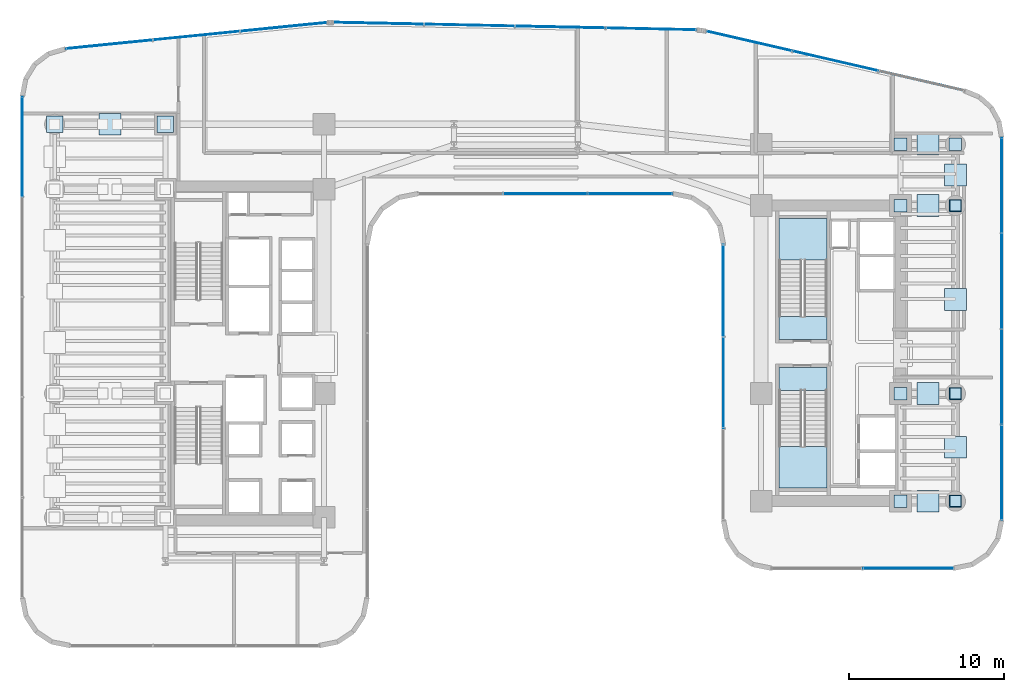
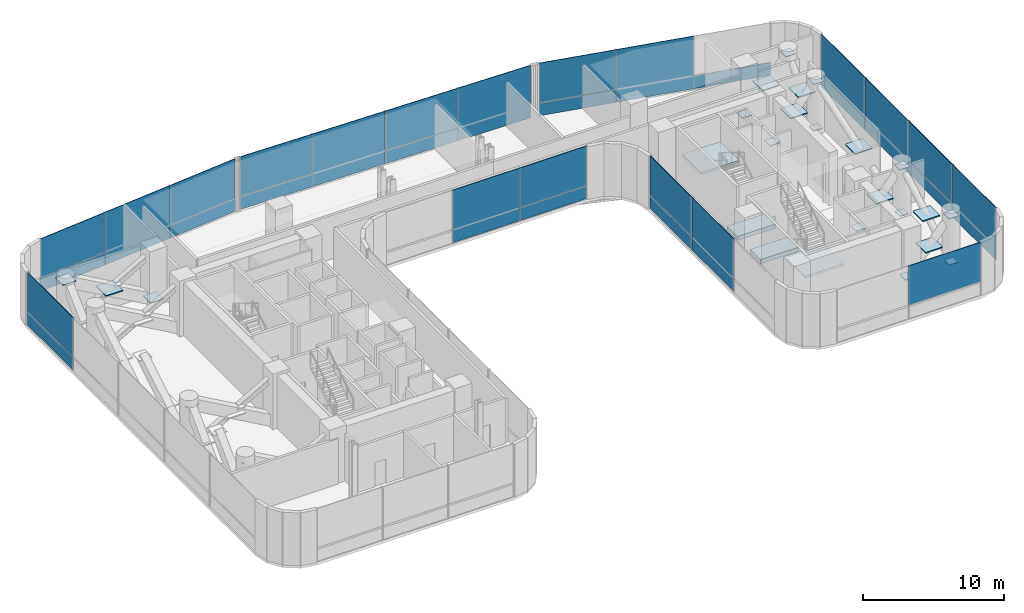
# One storey, part 31 of 39: 51 plates, 4 slabs, 10 elements without a shape of their own.
"""IFC4 building model written with IfcOpenShell, lengths in metres."""

import ifcopenshell
import ifcopenshell.guid

model = None  # the IFC model being written
_history = None  # IfcOwnerHistory: only IFC2X3 demands one
_inside = {}  # id of a spatial element -> (the spatial element, [elements in it])
_under = {}  # id of a project, library or spatial element -> (it, [spatial elements below it])
_declared = {}  # id of a project -> (the project, [libraries it declares])
_typed = {}  # id of a type object -> (the type object, [elements of that type])
_made_of = {}  # id of a material, layer set ... -> (it, [elements and type objects made of it])


def new_model(schema):
    """Start an empty IFC model of exactly this schema.

    Asked for "IFC4X3", IfcOpenShell would pick the latest addendum, in which some entities
    have other attributes; the version numbers below select the first issue.
    IFC2X3 requires an IfcOwnerHistory on every rooted entity: one is made here for all.
    """
    global model, _history
    if schema == "IFC4X3":
        model = ifcopenshell.file(schema_version=(4, 3, 0, 0))
    else:
        model = ifcopenshell.file(schema=schema)
    _inside.clear()
    _under.clear()
    _declared.clear()
    _typed.clear()
    _made_of.clear()
    _history = None
    if model.schema == "IFC2X3":
        org = make("IfcOrganization", Name="unknown")
        user = make(
            "IfcPersonAndOrganization",
            ThePerson=make("IfcPerson", FamilyName="unknown"),
            TheOrganization=org,
        )
        app = make(
            "IfcApplication",
            ApplicationDeveloper=org,
            Version="unknown",
            ApplicationFullName="unknown",
            ApplicationIdentifier="unknown",
        )
        _history = make(
            "IfcOwnerHistory",
            OwningUser=user,
            OwningApplication=app,
            ChangeAction="ADDED",
            CreationDate=0,
        )
    return model


def make(cls, **values):
    """One entity of the class cls with the attributes given. An attribute that is None is left unset."""
    return model.create_entity(
        cls, **{name: value for name, value in values.items() if value is not None}
    )


def rooted(cls, **values):
    """An entity with a GlobalId (a new one), such as an element, a storey or a relation."""
    return make(cls, GlobalId=ifcopenshell.guid.new(), OwnerHistory=_history, **values)


def si_unit(unit_type, name, prefix=None):
    """IfcSIUnit, for example si_unit("LENGTHUNIT", "METRE", prefix="MILLI")."""
    return make("IfcSIUnit", UnitType=unit_type, Prefix=prefix, Name=name)


def assignment(units):
    """IfcUnitAssignment: the units of a project."""
    return None if units is None else make("IfcUnitAssignment", Units=units)


def point(xyz):
    """IfcCartesianPoint."""
    return None if xyz is None else make("IfcCartesianPoint", Coordinates=xyz)


def direction(xyz):
    """IfcDirection."""
    return None if xyz is None else make("IfcDirection", DirectionRatios=xyz)


def frame(location, z_axis=None, x_axis=None):
    """IfcAxis2Placement3D, a coordinate frame: its origin and axes. An axis left out is left unset."""
    return make(
        "IfcAxis2Placement3D",
        Location=point(location),
        Axis=direction(z_axis),
        RefDirection=direction(x_axis),
    )


def frame_2d(location, x_axis=None):
    """IfcAxis2Placement2D, a coordinate frame in the plane: its origin and x axis."""
    return make(
        "IfcAxis2Placement2D", Location=point(location), RefDirection=direction(x_axis)
    )


def origin():
    """The frame at (0, 0, 0) with its axes left unset."""
    return frame((0.0, 0.0, 0.0))


def origin_2d():
    """The frame at (0, 0) in the plane with its x axis left unset."""
    return frame_2d((0.0, 0.0))


def place(relative_to, where):
    """IfcLocalPlacement: puts the frame where relative to a parent placement (None: the world)."""
    return make(
        "IfcLocalPlacement", PlacementRelTo=relative_to, RelativePlacement=where
    )


def context(
    kind, dimensions, precision=None, world=None, true_north=None, identifier=None
):
    """IfcGeometricRepresentationContext, for example the 3D "Model" context."""
    return make(
        "IfcGeometricRepresentationContext",
        ContextIdentifier=identifier,
        ContextType=kind,
        CoordinateSpaceDimension=dimensions,
        Precision=precision,
        WorldCoordinateSystem=world,
        TrueNorth=true_north,
    )


def subcontext(parent, identifier, kind, view, scale=None):
    """IfcGeometricRepresentationSubContext, for example "Body" below "Model"."""
    return make(
        "IfcGeometricRepresentationSubContext",
        ContextIdentifier=identifier,
        ContextType=kind,
        ParentContext=parent,
        TargetScale=scale,
        TargetView=view,
    )


def project(units=None, contexts=None):
    """IfcProject with its units and contexts."""
    return rooted(
        "IfcProject",
        Name="project",
        RepresentationContexts=contexts,
        UnitsInContext=assignment(units),
    )


def spatial(cls, under=None, at=None, **own):
    """A site, building, storey or space (cls), placed at a placement, below another one or the project."""
    s = rooted(cls, ObjectPlacement=at, **own)
    if under is not None:
        _under.setdefault(under.id(), (under, []))[1].append(s)
    return s


def polyline(points):
    """IfcPolyline through the points."""
    return make("IfcPolyline", Points=[point(p) for p in points])


def profile(cls, at=None, kind="AREA", **sizes):
    """A parametric profile (cls). Its sizes go by their IFC names, for example OverallWidth=200.0."""
    return make(cls, ProfileType=kind, Position=at, **sizes)


def rectangle(**sizes):
    """IfcRectangleProfileDef."""
    return profile("IfcRectangleProfileDef", **sizes)


def outline(outer, holes=None, kind="AREA"):
    """IfcArbitraryClosedProfileDef: a profile drawn as a closed curve; with holes, ...WithVoids."""
    if holes is None:
        return make("IfcArbitraryClosedProfileDef", ProfileType=kind, OuterCurve=outer)
    return make(
        "IfcArbitraryProfileDefWithVoids",
        ProfileType=kind,
        OuterCurve=outer,
        InnerCurves=holes,
    )


def extrude(swept, where, along, depth):
    """IfcExtrudedAreaSolid: the profile swept, set in the frame where, extruded along a direction by depth."""
    return make(
        "IfcExtrudedAreaSolid",
        SweptArea=swept,
        Position=where,
        ExtrudedDirection=direction(along),
        Depth=depth,
    )


def shape(context_of_items, identifier, shape_type, items):
    """IfcShapeRepresentation: the items that make up one representation, for example the "Body"."""
    return make(
        "IfcShapeRepresentation",
        ContextOfItems=context_of_items,
        RepresentationIdentifier=identifier,
        RepresentationType=shape_type,
        Items=items,
    )


def source(mapping_origin, context_of_items, identifier, shape_type, items):
    """IfcRepresentationMap: a shape defined once, which mapped items show again and again."""
    return make(
        "IfcRepresentationMap",
        MappingOrigin=mapping_origin,
        MappedRepresentation=shape(context_of_items, identifier, shape_type, items),
    )


def transform(
    local_origin,
    x_axis=None,
    y_axis=None,
    z_axis=None,
    scale=None,
    scale2=None,
    scale3=None,
    uniform=True,
):
    """IfcCartesianTransformationOperator3D, or its non-uniform kind. x_axis, y_axis, z_axis: its Axis1, 2, 3."""
    if uniform:
        return make(
            "IfcCartesianTransformationOperator3D",
            Axis1=direction(x_axis),
            Axis2=direction(y_axis),
            LocalOrigin=point(local_origin),
            Scale=scale,
            Axis3=direction(z_axis),
        )
    return make(
        "IfcCartesianTransformationOperator3DnonUniform",
        Axis1=direction(x_axis),
        Axis2=direction(y_axis),
        LocalOrigin=point(local_origin),
        Scale=scale,
        Axis3=direction(z_axis),
        Scale2=scale2,
        Scale3=scale3,
    )


def mapped(mapping_source, mapping_target):
    """IfcMappedItem: shows the shape of a source again, moved by a transform."""
    return make(
        "IfcMappedItem", MappingSource=mapping_source, MappingTarget=mapping_target
    )


def material(Name=None, Category=None):
    """IfcMaterial."""
    return make("IfcMaterial", Name=Name, Category=Category)


def layer(
    of_material, thickness, ventilated=None, Name=None, Category=None, Priority=None
):
    """IfcMaterialLayer: one layer of a wall or slab, of a material (None: an air gap)."""
    return make(
        "IfcMaterialLayer",
        Material=of_material,
        LayerThickness=thickness,
        IsVentilated=ventilated,
        Name=Name,
        Category=Category,
        Priority=Priority,
    )


def layer_set(layers, Name=None):
    """IfcMaterialLayerSet."""
    return make("IfcMaterialLayerSet", MaterialLayers=layers, LayerSetName=Name)


def made_of(thing, what):
    """Note that an element or type object is made of a material, layer set ...; save() writes the relation."""
    if what is not None:
        _made_of.setdefault(what.id(), (what, []))[1].append(thing)
    return thing


def type_object(cls, material=None, **own):
    """A type object (cls), such as IfcWallType, which elements share."""
    return made_of(rooted(cls, **own), material)


def element(
    cls,
    number,
    at=None,
    inside=None,
    cuts=None,
    type_object=None,
    material=None,
    context=None,
    identifier="Body",
    shape_type=None,
    held_by="IfcProductDefinitionShape",
    body=None,
    shapes=None,
    **own,
):
    """One element of the class cls, such as IfcWall. Its Tag is "e" and its number.

    at: its placement. inside: the storey or other place that contains it. cuts: it is an
    opening in that element (IfcRelVoidsElement). A single representation is given by context,
    identifier, shape_type and body (its items); several are given by shapes. held_by: the class
    of the entity that holds the representations. save() writes the other relations.
    """
    e = rooted(cls, Tag="e%d" % number, ObjectPlacement=at, **own)
    if body is not None:
        shapes = [shape(context, identifier, shape_type, body)]
    if shapes is not None:
        e.Representation = make(held_by, Representations=shapes)
    if inside is not None:
        _inside.setdefault(inside.id(), (inside, []))[1].append(e)
    if cuts is not None:
        rooted(
            "IfcRelVoidsElement", RelatingBuildingElement=cuts, RelatedOpeningElement=e
        )
    if type_object is not None:
        _typed.setdefault(type_object.id(), (type_object, []))[1].append(e)
    return made_of(e, material)


def aggregate(whole, parts):
    """IfcRelAggregates: a whole, such as a stair, and the parts it consists of."""
    return rooted("IfcRelAggregates", RelatingObject=whole, RelatedObjects=parts)


def save(model, path):
    """Write the relations noted so far, then the file.

    IfcRelAggregates (storeys below a building ...), IfcRelContainedInSpatialStructure (elements
    in a storey), IfcRelDefinesByType, IfcRelAssociatesMaterial and IfcRelDeclares: one each for
    every whole, place, type object, material and project.
    """
    for whole, parts in _under.values():
        aggregate(whole, parts)
    for where, things in _inside.values():
        rooted(
            "IfcRelContainedInSpatialStructure",
            RelatedElements=things,
            RelatingStructure=where,
        )
    for kind, things in _typed.values():
        rooted("IfcRelDefinesByType", RelatedObjects=things, RelatingType=kind)
    for what, things in _made_of.values():
        rooted("IfcRelAssociatesMaterial", RelatedObjects=things, RelatingMaterial=what)
    for by, libraries in _declared.values():
        rooted("IfcRelDeclares", RelatingContext=by, RelatedDefinitions=libraries)
    model.write(path)


model = new_model("IFC4")

# Units and contexts
model_context = context("Model", 3, precision=1e-05, world=origin(), true_north=direction((0.0, 1.0)))
body_context = subcontext(model_context, "Body", "Model", "MODEL_VIEW")
ifc_project = project(units=[si_unit("LENGTHUNIT", "METRE"), si_unit("AREAUNIT", "SQUARE_METRE"), si_unit("VOLUMEUNIT", "CUBIC_METRE"), si_unit("PLANEANGLEUNIT", "RADIAN"), si_unit("MASSUNIT", "GRAM", prefix="KILO")], contexts=[model_context])

# Site, building, storey
site_placement = place(None, origin())
site = spatial("IfcSite", under=ifc_project, at=site_placement, CompositionType="ELEMENT")
building_placement = place(site_placement, origin())
building = spatial("IfcBuilding", under=site, at=building_placement, Name="Valdorenza Pilgrim Sanctuary Tower", CompositionType="ELEMENT")
storey_placement = place(building_placement, frame((0.0, 0.0, 96.300048828125)))
storey = spatial("IfcBuildingStorey", under=building, at=storey_placement, Name="L24", CompositionType="ELEMENT", Elevation=96.300048828125)

# Stair, slab
ifc_material_1 = material(Name="Concrete C40/50", Category="concrete")
stair_type = type_object("IfcStairType", Name="STR-DOG-CORE", PredefinedType="HALF_TURN_STAIR", material=ifc_material_1)
stair_1_placement = place(storey_placement, origin())
stair_1 = element("IfcStair", 1, at=stair_1_placement, inside=storey, type_object=stair_type, Name="L24 ST-B1", PredefinedType="HALF_TURN_STAIR")
ifc_layer_1 = layer(ifc_material_1, 0.199951171875, Name="Concrete C40/50")
ifc_layer_set_1 = layer_set([ifc_layer_1], Name="Concrete C40/50")
slab_type_1 = type_object("IfcSlabType", Name="SLAB-STL-200", PredefinedType="LANDING", material=ifc_layer_set_1)
slab_1_placement = place(storey_placement, frame((0.0, 0.0, 2.199951171875)))
slab_1 = element("IfcSlab", 2, at=slab_1_placement, type_object=slab_type_1, Name="ST-B1 landing 1", PredefinedType="LANDING", context=body_context, shape_type="SweptSolid", body=[
    extrude(outline(polyline([(20.110107421875, 6.02001953125), (20.110107421875, 8.699951171875), (17.0, 8.699951171875), (17.0, 6.02001953125), (20.110107421875, 6.02001953125)])), origin(), (0.0, 0.0, 1.0), 0.199951171875),
])
aggregate(stair_1, [slab_1])

stair_2_placement = place(storey_placement, origin())
stair_2 = element("IfcStair", 3, at=stair_2_placement, inside=storey, type_object=stair_type, Name="L24 ST-B2", PredefinedType="HALF_TURN_STAIR")
slab_2_placement = place(storey_placement, frame((0.0, 0.0, 2.199951171875)))
slab_2 = element("IfcSlab", 4, at=slab_2_placement, type_object=slab_type_1, Name="ST-B2 landing 1", PredefinedType="LANDING", context=body_context, shape_type="SweptSolid", body=[
    extrude(outline(polyline([(17.0, -6.02001953125), (17.0, -8.699951171875), (20.110107421875, -8.699951171875), (20.110107421875, -6.02001953125), (17.0, -6.02001953125)])), origin(), (0.0, 0.0, 1.0), 0.199951171875),
])
aggregate(stair_2, [slab_2])

# Slabs
ifc_material_2 = material(Name="Concrete C50/60", Category="concrete")
ifc_layer_2 = layer(ifc_material_2, 0.39990234375, Name="Concrete C50/60")
ifc_layer_set_2 = layer_set([ifc_layer_2], Name="Concrete C50/60")
slab_type_2 = type_object("IfcSlabType", Name="SLAB-TRF-400", PredefinedType="FLOOR", material=ifc_layer_set_2)
slab_3_placement = place(storey_placement, frame((0.0, 0.0, -0.360107421875)))
element("IfcSlab", 5, at=slab_3_placement, inside=storey, type_object=slab_type_2, Name="L24 ST-B1 Structural Stair Landing Bearing Slab", PredefinedType="FLOOR", context=body_context, shape_type="SweptSolid", body=[
    extrude(outline(polyline([(17.0, 0.89990234375), (20.110107421875, 0.89990234375), (20.110107421875, 2.385009765625), (17.0, 2.385009765625), (17.0, 0.89990234375)])), origin(), (0.0, 0.0, 1.0), 0.360107421875),
])
slab_4_placement = place(storey_placement, frame((0.0, 0.0, -0.360107421875)))
element("IfcSlab", 6, at=slab_4_placement, inside=storey, type_object=slab_type_2, Name="L24 ST-B2 Structural Stair Landing Bearing Slab", PredefinedType="FLOOR", context=body_context, shape_type="SweptSolid", body=[
    extrude(outline(polyline([(17.0, -2.385009765625), (20.110107421875, -2.385009765625), (20.110107421875, -0.89990234375), (17.0, -0.89990234375), (17.0, -2.385009765625)])), origin(), (0.0, 0.0, 1.0), 0.360107421875),
])

# Plates
ifc_material_3 = material(Name="Steel ASTM A572 Grade 42", Category="steel")
ifc_layer_3 = layer(ifc_material_3, 0.06005859375, Name="Steel ASTM A572 Grade 42")
ifc_layer_set_3 = layer_set([ifc_layer_3], Name="Steel ASTM A572 Grade 42")
plate_type_1 = type_object("IfcPlateType", Name="PLT-CAP-60", PredefinedType="SHEET", material=ifc_layer_set_3)
shared_shape_1 = source(origin(), body_context, "Body", "SweptSolid", [
    extrude(rectangle(XDim=1.050048828125, YDim=1.050048828125, at=origin_2d()), origin(), (0.0, 0.0, 1.0), 0.06005859375),
])
for number, where, z_axis, x_axis, name in (
    (7, (-22.64990234375, 14.800048828125, 0.169921875), (0.0, 0.0, 1.0), (1.0, 0.0, 0.0), "L24 Outrigger Truss Diagonal WA4A End Connection Plate 1"),
    (8, (-29.800048828125, 14.800048828125, 4.219970703125), (0.0, 0.0, 1.0), (1.0, 0.0, 0.0), "L24 Outrigger Truss Diagonal WA4A End Connection Plate 2"),
):
    element("IfcPlate", number, at=place(storey_placement, frame(where, z_axis=z_axis, x_axis=x_axis)), inside=storey, type_object=plate_type_1, Name=name, PredefinedType="SHEET", context=body_context, shape_type="MappedRepresentation", body=[
        mapped(shared_shape_1, transform((0.0, 0.0, 0.0), x_axis=(1.0, 0.0, 0.0), y_axis=(0.0, 1.0, 0.0), z_axis=(0.0, 0.0, 1.0), scale=1.0)),
    ])
ifc_layer_4 = layer(ifc_material_3, 0.090087890625, Name="Steel ASTM A572 Grade 42")
ifc_layer_set_4 = layer_set([ifc_layer_4], Name="Steel ASTM A572 Grade 42")
plate_type_2 = type_object("IfcPlateType", Name="PLT-GUS-90", PredefinedType="USERDEFINED", material=ifc_layer_set_4)
shared_shape_2 = source(origin(), body_context, "Body", "SweptSolid", [
    extrude(rectangle(XDim=1.39990234375, YDim=1.39990234375, at=origin_2d()), origin(), (0.0, 0.0, 1.0), 0.090087890625),
])
for number, where, z_axis, x_axis, name in (
    (9, (-26.22509765625, 14.800048828125, 2.1796875), (0.0, 0.0, 1.0), (1.0, 0.0, 0.0), "Truss X-Brace Node Gusset Assembly ON-01 (MB-OUT-L24-WA4A)"),
    (10, (26.625, -9.550048828125, 2.1796875), (0.0, 0.0, 1.0), (1.0, 0.0, 0.0), "Truss Node Gusset Assembly ON-02 (MB-OUT-L24-WB1)"),
    (11, (26.625, -2.60009765625, 2.1796875), (0.0, 0.0, 1.0), (1.0, 0.0, 0.0), "Truss Node Gusset Assembly ON-02 (MB-OUT-L24-WB2)"),
    (12, (26.625, 9.550048828125, 2.1796875), (0.0, 0.0, 1.0), (1.0, 0.0, 0.0), "Truss Node Gusset Assembly ON-02 (MB-OUT-L24-WB3)"),
    (13, (26.625, 13.5, 2.1796875), (0.0, 0.0, 1.0), (1.0, 0.0, 0.0), "Truss Node Gusset Assembly ON-02 (MB-OUT-L24-WB4)"),
    (14, (28.39990234375, -6.074951171875, 2.1796875), (0.0, 0.0, 1.0), (1.0, 0.0, 0.0), "Truss Node Gusset Assembly BN-02 (MB-BLT-L24-E1)"),
    (15, (28.39990234375, 3.47509765625, 2.1796875), (0.0, 0.0, 1.0), (1.0, 0.0, 0.0), "Truss Node Gusset Assembly BN-02 (MB-BLT-L24-E2)"),
    (16, (28.39990234375, 11.52490234375, 2.1796875), (0.0, 0.0, 1.0), (1.0, 0.0, 0.0), "Truss Node Gusset Assembly BN-02 (MB-BLT-L24-E3)"),
):
    element("IfcPlate", number, at=place(storey_placement, frame(where, z_axis=z_axis, x_axis=x_axis)), inside=storey, type_object=plate_type_2, Name=name, ObjectType="GUSSET PLATE", PredefinedType="USERDEFINED", context=body_context, shape_type="MappedRepresentation", body=[
        mapped(shared_shape_2, transform((0.0, 0.0, 0.0), x_axis=(1.0, 0.0, 0.0), y_axis=(0.0, 1.0, 0.0), z_axis=(0.0, 0.0, 1.0), scale=1.0)),
    ])
shared_shape_3 = source(origin(), body_context, "Body", "SweptSolid", [
    extrude(rectangle(XDim=0.81005859375, YDim=0.81005859375, at=origin_2d()), origin(), (0.0, 0.0, 1.0), 0.06005859375),
])
for number, where, z_axis, x_axis, name in (
    (17, (24.85009765625, -9.550048828125, 0.169921875), (0.0, 0.0, 1.0), (1.0, 0.0, 0.0), "L24 East Wing Outrigger Truss Strut WB1 End Connection Plate 1"),
    (18, (28.39990234375, -9.550048828125, 4.219970703125), (0.0, 0.0, 1.0), (1.0, 0.0, 0.0), "L24 East Wing Outrigger Truss Strut WB1 End Connection Plate 2"),
    (19, (24.85009765625, -2.60009765625, 0.169921875), (0.0, 0.0, 1.0), (1.0, 0.0, 0.0), "L24 East Wing Outrigger Truss Strut WB2 End Connection Plate 1"),
    (20, (28.39990234375, -2.60009765625, 4.219970703125), (0.0, 0.0, 1.0), (1.0, 0.0, 0.0), "L24 East Wing Outrigger Truss Strut WB2 End Connection Plate 2"),
    (21, (24.85009765625, 9.550048828125, 0.169921875), (0.0, 0.0, 1.0), (1.0, 0.0, 0.0), "L24 East Wing Outrigger Truss Strut WB3 End Connection Plate 1"),
    (22, (28.39990234375, 9.550048828125, 4.219970703125), (0.0, 0.0, 1.0), (1.0, 0.0, 0.0), "L24 East Wing Outrigger Truss Strut WB3 End Connection Plate 2"),
    (23, (24.85009765625, 13.5, 0.169921875), (0.0, 0.0, 1.0), (1.0, 0.0, 0.0), "L24 East Wing Outrigger Truss Strut WB4 End Connection Plate 1"),
    (24, (28.39990234375, 13.5, 4.219970703125), (0.0, 0.0, 1.0), (1.0, 0.0, 0.0), "L24 East Wing Outrigger Truss Strut WB4 End Connection Plate 2"),
):
    element("IfcPlate", number, at=place(storey_placement, frame(where, z_axis=z_axis, x_axis=x_axis)), inside=storey, type_object=plate_type_1, Name=name, PredefinedType="SHEET", context=body_context, shape_type="MappedRepresentation", body=[
        mapped(shared_shape_3, transform((0.0, 0.0, 0.0), x_axis=(1.0, 0.0, 0.0), y_axis=(0.0, 1.0, 0.0), z_axis=(0.0, 0.0, 1.0), scale=1.0)),
    ])
shared_shape_4 = source(origin(), body_context, "Body", "SweptSolid", [
    extrude(rectangle(XDim=0.7080078125, YDim=0.7080078125, at=origin_2d()), origin(), (0.0, 0.0, 1.0), 0.06005859375),
])
for number, where, z_axis, x_axis, name in (
    (25, (28.39990234375, -9.550048828125, 0.169921875), (0.0, 0.0, 1.0), (1.0, 0.0, 0.0), "L24 East Wing Belt Truss Strut E1 End Connection Plate 1"),
    (26, (28.39990234375, -2.60009765625, 0.169921875), (0.0, 0.0, 1.0), (1.0, 0.0, 0.0), "L24 East Wing Belt Truss Strut E2 End Connection Plate 1"),
    (27, (28.39990234375, 9.550048828125, 0.169921875), (0.0, 0.0, 1.0), (1.0, 0.0, 0.0), "L24 East Wing Belt Truss Strut E3 End Connection Plate 1"),
):
    element("IfcPlate", number, at=place(storey_placement, frame(where, z_axis=z_axis, x_axis=x_axis)), inside=storey, type_object=plate_type_1, Name=name, PredefinedType="SHEET", context=body_context, shape_type="MappedRepresentation", body=[
        mapped(shared_shape_4, transform((0.0, 0.0, 0.0), x_axis=(1.0, 0.0, 0.0), y_axis=(0.0, 1.0, 0.0), z_axis=(0.0, 0.0, 1.0), scale=1.0)),
    ])

# Curtain wall, plates
ifc_material_4 = material(Name="Curtain-wall IGU glazing", Category="glass")
curtain_wall_type_1 = type_object("IfcCurtainWallType", Name="CW-SYS-02", PredefinedType="NOTDEFINED", material=ifc_material_4)
curtain_wall_1_placement = place(storey_placement, origin())
curtain_wall_1 = element("IfcCurtainWall", 28, at=curtain_wall_1_placement, inside=storey, type_object=curtain_wall_type_1, Name="L24 Curtain Wall CW-L24-1-6", PredefinedType="NOTDEFINED")
ifc_material_5 = material(Name="Honed travertine limestone", Category="masonry")
ifc_layer_5 = layer(ifc_material_5, 0.050048828125, Name="Honed travertine limestone")
ifc_layer_set_5 = layer_set([ifc_layer_5], Name="Honed travertine limestone")
plate_type_3 = type_object("IfcPlateType", Name="CW-SPN-TRV", PredefinedType="USERDEFINED", material=ifc_layer_set_5)
shared_shape_5 = source(origin(), body_context, "Body", "SweptSolid", [
    extrude(rectangle(XDim=5.646484375, YDim=0.06005859375, at=origin_2d()), origin(), (0.0, 0.0, 1.0), 1.10009765625),
])
plate_1_placement = place(storey_placement, frame((-26.2783203125, 19.961669921875, 0.010009765625), z_axis=(0.0, 0.0, 1.0), x_axis=(0.995038220239, 0.099493418189, 0.0)))
plate_1 = element("IfcPlate", 29, at=plate_1_placement, type_object=plate_type_3, Name="CW-L24-1-6 Travertine Spandrel 1", ObjectType="SPANDREL", PredefinedType="USERDEFINED", context=body_context, shape_type="MappedRepresentation", body=[
    mapped(shared_shape_5, transform((0.0, 0.0, 0.0), x_axis=(1.0, 0.0, 0.0), y_axis=(0.0, 1.0, 0.0), z_axis=(0.0, 0.0, 1.0), scale=1.0)),
])
plate_2_placement = place(storey_placement, frame((-15.001220703125, 21.08935546875, 0.010009765625), z_axis=(0.0, 0.0, 1.0), x_axis=(0.995038220239, 0.099493418189, 0.0)))
plate_2 = element("IfcPlate", 30, at=plate_2_placement, type_object=plate_type_3, Name="CW-L24-1-6 Travertine Spandrel 3", ObjectType="SPANDREL", PredefinedType="USERDEFINED", context=body_context, shape_type="MappedRepresentation", body=[
    mapped(shared_shape_5, transform((0.0, 0.0, 0.0), x_axis=(1.0, 0.0, 0.0), y_axis=(0.0, 1.0, 0.0), z_axis=(0.0, 0.0, 1.0), scale=1.0)),
])

curtain_wall_2_placement = place(storey_placement, origin())
curtain_wall_2 = element("IfcCurtainWall", 31, at=curtain_wall_2_placement, inside=storey, type_object=curtain_wall_type_1, Name="L24 Curtain Wall CW-L24-1-11", PredefinedType="NOTDEFINED")
shared_shape_6 = source(origin(), body_context, "Body", "SweptSolid", [
    extrude(rectangle(XDim=5.849853515625, YDim=0.06005859375, at=origin_2d()), origin(), (0.0, 0.0, 1.0), 1.10009765625),
])
plate_3_placement = place(storey_placement, frame((-8.8740234375, 21.324951171875, 0.010009765625), z_axis=(0.0, 0.0, 1.0), x_axis=(0.999783234613, -0.020820273474, 0.0)))
plate_3 = element("IfcPlate", 32, at=plate_3_placement, type_object=plate_type_3, Name="CW-L24-1-11 Travertine Spandrel 1", ObjectType="SPANDREL", PredefinedType="USERDEFINED", context=body_context, shape_type="MappedRepresentation", body=[
    mapped(shared_shape_6, transform((0.0, 0.0, 0.0), x_axis=(1.0, 0.0, 0.0), y_axis=(0.0, 1.0, 0.0), z_axis=(0.0, 0.0, 1.0), scale=1.0)),
])
plate_4_placement = place(storey_placement, frame((2.86279296875, 21.080322265625, 0.010009765625), z_axis=(0.0, 0.0, 1.0), x_axis=(0.999783234613, -0.020820273474, 0.0)))
plate_4 = element("IfcPlate", 33, at=plate_4_placement, type_object=plate_type_3, Name="CW-L24-1-11 Travertine Spandrel 3", ObjectType="SPANDREL", PredefinedType="USERDEFINED", context=body_context, shape_type="MappedRepresentation", body=[
    mapped(shared_shape_6, transform((0.0, 0.0, 0.0), x_axis=(1.0, 0.0, 0.0), y_axis=(0.0, 1.0, 0.0), z_axis=(0.0, 0.0, 1.0), scale=1.0)),
])

curtain_wall_type_2 = type_object("IfcCurtainWallType", Name="CW-SYS-03", PredefinedType="NOTDEFINED", material=ifc_material_4)
curtain_wall_3_placement = place(storey_placement, origin())
curtain_wall_3 = element("IfcCurtainWall", 34, at=curtain_wall_3_placement, inside=storey, type_object=curtain_wall_type_2, Name="L24 Curtain Wall CW-L24-1-16", PredefinedType="NOTDEFINED")
shared_shape_7 = source(origin(), body_context, "Body", "SweptSolid", [
    extrude(rectangle(XDim=5.6884765625, YDim=0.06005859375, at=origin_2d()), origin(), (0.0, 0.0, 1.0), 1.10009765625),
])
plate_5_placement = place(storey_placement, frame((15.080078125, 20.17626953125, 0.010009765625), z_axis=(0.0, 0.0, 1.0), x_axis=(0.974389691758, -0.224866023659, 0.0)))
plate_5 = element("IfcPlate", 35, at=plate_5_placement, type_object=plate_type_3, Name="CW-L24-1-16 Travertine Spandrel 1", ObjectType="SPANDREL", PredefinedType="USERDEFINED", context=body_context, shape_type="MappedRepresentation", body=[
    mapped(shared_shape_7, transform((0.0, 0.0, 0.0), x_axis=(1.0, 0.0, 0.0), y_axis=(0.0, 1.0, 0.0), z_axis=(0.0, 0.0, 1.0), scale=1.0)),
])
plate_6_placement = place(storey_placement, frame((26.20458984375, 17.609130859375, 0.010009765625), z_axis=(0.0, 0.0, 1.0), x_axis=(0.974389691758, -0.224866023659, 0.0)))
plate_6 = element("IfcPlate", 36, at=plate_6_placement, type_object=plate_type_3, Name="CW-L24-1-16 Travertine Spandrel 3", ObjectType="SPANDREL", PredefinedType="USERDEFINED", context=body_context, shape_type="MappedRepresentation", body=[
    mapped(shared_shape_7, transform((0.0, 0.0, 0.0), x_axis=(1.0, 0.0, 0.0), y_axis=(0.0, 1.0, 0.0), z_axis=(0.0, 0.0, 1.0), scale=1.0)),
])

curtain_wall_4_placement = place(storey_placement, origin())
curtain_wall_4 = element("IfcCurtainWall", 37, at=curtain_wall_4_placement, inside=storey, type_object=curtain_wall_type_2, Name="L24 Curtain Wall CW-L24-1-21", PredefinedType="NOTDEFINED")
shared_shape_8 = source(origin(), body_context, "Body", "SweptSolid", [
    extrude(rectangle(XDim=6.16357421875, YDim=0.06005859375, at=origin_2d()), origin(), (0.0, 0.0, 1.0), 1.10009765625),
])
plate_7_placement = place(storey_placement, frame((31.389892578125, 10.853271484375, 0.010009765625), z_axis=(0.0, 0.0, 1.0), x_axis=(0.0, -1.0, 0.0)))
plate_7 = element("IfcPlate", 38, at=plate_7_placement, type_object=plate_type_3, Name="CW-L24-1-21 Travertine Spandrel 1", ObjectType="SPANDREL", PredefinedType="USERDEFINED", context=body_context, shape_type="MappedRepresentation", body=[
    mapped(shared_shape_8, transform((0.0, 0.0, 0.0), x_axis=(1.0, 0.0, 0.0), y_axis=(0.0, 1.0, 0.0), z_axis=(0.0, 0.0, 1.0), scale=1.0)),
])
plate_8_placement = place(storey_placement, frame((31.389892578125, -1.513916015625, 0.010009765625), z_axis=(0.0, 0.0, 1.0), x_axis=(0.0, -1.0, 0.0)))
plate_8 = element("IfcPlate", 39, at=plate_8_placement, type_object=plate_type_3, Name="CW-L24-1-21 Travertine Spandrel 3", ObjectType="SPANDREL", PredefinedType="USERDEFINED", context=body_context, shape_type="MappedRepresentation", body=[
    mapped(shared_shape_8, transform((0.0, 0.0, 0.0), x_axis=(1.0, 0.0, 0.0), y_axis=(0.0, 1.0, 0.0), z_axis=(0.0, 0.0, 1.0), scale=1.0)),
])

# Curtain wall, plate
curtain_wall_5_placement = place(storey_placement, origin())
curtain_wall_5 = element("IfcCurtainWall", 40, at=curtain_wall_5_placement, inside=storey, type_object=curtain_wall_type_2, Name="L24 Curtain Wall CW-L24-1-31", PredefinedType="NOTDEFINED")
shared_shape_9 = source(origin(), body_context, "Body", "SweptSolid", [
    extrude(rectangle(XDim=5.913330078125, YDim=0.06005859375, at=origin_2d()), origin(), (0.0, 0.0, 1.0), 1.10009765625),
])
plate_9_placement = place(storey_placement, frame((13.409912109375, 4.044189453125, 0.010009765625), z_axis=(0.0, 0.0, 1.0), x_axis=(0.0, 1.0, 0.0)))
plate_9 = element("IfcPlate", 41, at=plate_9_placement, type_object=plate_type_3, Name="CW-L24-1-31 Travertine Spandrel 3", ObjectType="SPANDREL", PredefinedType="USERDEFINED", context=body_context, shape_type="MappedRepresentation", body=[
    mapped(shared_shape_9, transform((0.0, 0.0, 0.0), x_axis=(1.0, 0.0, 0.0), y_axis=(0.0, 1.0, 0.0), z_axis=(0.0, 0.0, 1.0), scale=1.0)),
])

curtain_wall_6_placement = place(storey_placement, origin())
curtain_wall_6 = element("IfcCurtainWall", 42, at=curtain_wall_6_placement, inside=storey, type_object=curtain_wall_type_1, Name="L24 Curtain Wall CW-L24-1-36", PredefinedType="NOTDEFINED")
shared_shape_10 = source(origin(), body_context, "Body", "SweptSolid", [
    extrude(rectangle(XDim=5.453857421875, YDim=0.06005859375, at=origin_2d()), origin(), (0.0, 0.0, 1.0), 1.10009765625),
])
plate_10_placement = place(storey_placement, frame((7.373779296875, 10.31005859375, 0.010009765625), z_axis=(0.0, 0.0, 1.0), x_axis=(-1.0, 0.0, 0.0)))
plate_10 = element("IfcPlate", 43, at=plate_10_placement, type_object=plate_type_3, Name="CW-L24-1-36 Travertine Spandrel 1", ObjectType="SPANDREL", PredefinedType="USERDEFINED", context=body_context, shape_type="MappedRepresentation", body=[
    mapped(shared_shape_10, transform((0.0, 0.0, 0.0), x_axis=(1.0, 0.0, 0.0), y_axis=(0.0, 1.0, 0.0), z_axis=(0.0, 0.0, 1.0), scale=1.0)),
])

# Curtain wall, plates
curtain_wall_7_placement = place(storey_placement, origin())
curtain_wall_7 = element("IfcCurtainWall", 44, at=curtain_wall_7_placement, inside=storey, type_object=curtain_wall_type_1, Name="L24 Curtain Wall CW-L24-1-1", PredefinedType="NOTDEFINED")
shared_shape_11 = source(origin(), body_context, "Body", "SweptSolid", [
    extrude(rectangle(XDim=6.45654296875, YDim=0.06005859375, at=origin_2d()), origin(), (0.0, 0.0, 1.0), 1.10009765625),
])
plate_11_placement = place(storey_placement, frame((-31.889892578125, 13.355712890625, 0.010009765625), z_axis=(0.0, 0.0, 1.0), x_axis=(0.0, 1.0, 0.0)))
plate_11 = element("IfcPlate", 45, at=plate_11_placement, type_object=plate_type_3, Name="CW-L24-1-1 Travertine Spandrel 5", ObjectType="SPANDREL", PredefinedType="USERDEFINED", context=body_context, shape_type="MappedRepresentation", body=[
    mapped(shared_shape_11, transform((0.0, 0.0, 0.0), x_axis=(1.0, 0.0, 0.0), y_axis=(0.0, 1.0, 0.0), z_axis=(0.0, 0.0, 1.0), scale=1.0)),
])
ifc_material_6 = material(Name="Champagne anodised aluminium", Category="aluminium")
ifc_layer_6 = layer(ifc_material_6, 0.080078125, Name="Champagne anodised aluminium")
ifc_layer_set_6 = layer_set([ifc_layer_6], Name="Champagne anodised aluminium")
plate_type_4 = type_object("IfcPlateType", Name="LVR-PLT-ALU", PredefinedType="USERDEFINED", material=ifc_layer_set_6)
shared_shape_12 = source(origin(), body_context, "Body", "SweptSolid", [
    extrude(rectangle(XDim=6.45654296875, YDim=0.050048828125, at=origin_2d()), origin(), (0.0, 0.0, 1.0), 3.419921875),
])
plate_12_placement = place(storey_placement, frame((-31.889892578125, 13.355712890625, 1.1298828125), z_axis=(0.0, 0.0, 1.0), x_axis=(0.0, 1.0, 0.0)))
plate_12 = element("IfcPlate", 46, at=plate_12_placement, type_object=plate_type_4, Name="CW-L24-1-1 Facade Panel 5", ObjectType="LOUVRE", PredefinedType="USERDEFINED", context=body_context, shape_type="MappedRepresentation", body=[
    mapped(shared_shape_12, transform((0.0, 0.0, 0.0), x_axis=(1.0, 0.0, 0.0), y_axis=(0.0, 1.0, 0.0), z_axis=(0.0, 0.0, 1.0), scale=1.0)),
])
aggregate(curtain_wall_7, [plate_11, plate_12])

# Plate
shared_shape_13 = source(origin(), body_context, "Body", "SweptSolid", [
    extrude(rectangle(XDim=5.646484375, YDim=0.050048828125, at=origin_2d()), origin(), (0.0, 0.0, 1.0), 3.419921875),
])
plate_13_placement = place(storey_placement, frame((-26.2783203125, 19.961669921875, 1.1298828125), z_axis=(0.0, 0.0, 1.0), x_axis=(0.995038220239, 0.099493418189, 0.0)))
plate_13 = element("IfcPlate", 47, at=plate_13_placement, type_object=plate_type_4, Name="CW-L24-1-6 Facade Panel 1", ObjectType="LOUVRE", PredefinedType="USERDEFINED", context=body_context, shape_type="MappedRepresentation", body=[
    mapped(shared_shape_13, transform((0.0, 0.0, 0.0), x_axis=(1.0, 0.0, 0.0), y_axis=(0.0, 1.0, 0.0), z_axis=(0.0, 0.0, 1.0), scale=1.0)),
])

plate_14_placement = place(storey_placement, frame((-15.001220703125, 21.08935546875, 1.1298828125), z_axis=(0.0, 0.0, 1.0), x_axis=(0.995038220239, 0.099493418189, 0.0)))
plate_14 = element("IfcPlate", 48, at=plate_14_placement, type_object=plate_type_4, Name="CW-L24-1-6 Facade Panel 3", ObjectType="LOUVRE", PredefinedType="USERDEFINED", context=body_context, shape_type="MappedRepresentation", body=[
    mapped(shared_shape_13, transform((0.0, 0.0, 0.0), x_axis=(1.0, 0.0, 0.0), y_axis=(0.0, 1.0, 0.0), z_axis=(0.0, 0.0, 1.0), scale=1.0)),
])

shared_shape_14 = source(origin(), body_context, "Body", "SweptSolid", [
    extrude(rectangle(XDim=5.646484375, YDim=0.050048828125, at=origin_2d()), origin(), (0.0, 0.0, 1.0), 4.5400390625),
])
plate_15_placement = place(storey_placement, frame((-20.6396484375, 20.525634765625, 0.010009765625), z_axis=(0.0, 0.0, 1.0), x_axis=(0.995038220239, 0.099493418189, 0.0)))
plate_15 = element("IfcPlate", 49, at=plate_15_placement, type_object=plate_type_4, Name="CW-L24-1-6 Full-Height Facade Panel 2", ObjectType="LOUVRE", PredefinedType="USERDEFINED", context=body_context, shape_type="MappedRepresentation", body=[
    mapped(shared_shape_14, transform((0.0, 0.0, 0.0), x_axis=(1.0, 0.0, 0.0), y_axis=(0.0, 1.0, 0.0), z_axis=(0.0, 0.0, 1.0), scale=1.0)),
])

aggregate(curtain_wall_1, [plate_1, plate_13, plate_15, plate_2, plate_14])

shared_shape_15 = source(origin(), body_context, "Body", "SweptSolid", [
    extrude(rectangle(XDim=5.849853515625, YDim=0.050048828125, at=origin_2d()), origin(), (0.0, 0.0, 1.0), 3.419921875),
])
plate_16_placement = place(storey_placement, frame((-8.8740234375, 21.324951171875, 1.1298828125), z_axis=(0.0, 0.0, 1.0), x_axis=(0.999783234613, -0.020820273474, 0.0)))
plate_16 = element("IfcPlate", 50, at=plate_16_placement, type_object=plate_type_4, Name="CW-L24-1-11 Facade Panel 1", ObjectType="LOUVRE", PredefinedType="USERDEFINED", context=body_context, shape_type="MappedRepresentation", body=[
    mapped(shared_shape_15, transform((0.0, 0.0, 0.0), x_axis=(1.0, 0.0, 0.0), y_axis=(0.0, 1.0, 0.0), z_axis=(0.0, 0.0, 1.0), scale=1.0)),
])

plate_17_placement = place(storey_placement, frame((2.86279296875, 21.080322265625, 1.1298828125), z_axis=(0.0, 0.0, 1.0), x_axis=(0.999783234613, -0.020820273474, 0.0)))
plate_17 = element("IfcPlate", 51, at=plate_17_placement, type_object=plate_type_4, Name="CW-L24-1-11 Facade Panel 3", ObjectType="LOUVRE", PredefinedType="USERDEFINED", context=body_context, shape_type="MappedRepresentation", body=[
    mapped(shared_shape_15, transform((0.0, 0.0, 0.0), x_axis=(1.0, 0.0, 0.0), y_axis=(0.0, 1.0, 0.0), z_axis=(0.0, 0.0, 1.0), scale=1.0)),
])

shared_shape_16 = source(origin(), body_context, "Body", "SweptSolid", [
    extrude(rectangle(XDim=5.849853515625, YDim=0.050048828125, at=origin_2d()), origin(), (0.0, 0.0, 1.0), 4.5400390625),
])
plate_18_placement = place(storey_placement, frame((-3.005615234375, 21.20263671875, 0.010009765625), z_axis=(0.0, 0.0, 1.0), x_axis=(0.999783234613, -0.020820273474, 0.0)))
plate_18 = element("IfcPlate", 52, at=plate_18_placement, type_object=plate_type_4, Name="CW-L24-1-11 Full-Height Facade Panel 2", ObjectType="LOUVRE", PredefinedType="USERDEFINED", context=body_context, shape_type="MappedRepresentation", body=[
    mapped(shared_shape_16, transform((0.0, 0.0, 0.0), x_axis=(1.0, 0.0, 0.0), y_axis=(0.0, 1.0, 0.0), z_axis=(0.0, 0.0, 1.0), scale=1.0)),
])

plate_19_placement = place(storey_placement, frame((8.7314453125, 20.9580078125, 0.010009765625), z_axis=(0.0, 0.0, 1.0), x_axis=(0.999783234613, -0.020820273474, 0.0)))
plate_19 = element("IfcPlate", 53, at=plate_19_placement, type_object=plate_type_4, Name="CW-L24-1-11 Full-Height Facade Panel 4", ObjectType="LOUVRE", PredefinedType="USERDEFINED", context=body_context, shape_type="MappedRepresentation", body=[
    mapped(shared_shape_16, transform((0.0, 0.0, 0.0), x_axis=(1.0, 0.0, 0.0), y_axis=(0.0, 1.0, 0.0), z_axis=(0.0, 0.0, 1.0), scale=1.0)),
])

aggregate(curtain_wall_2, [plate_3, plate_16, plate_18, plate_4, plate_17, plate_19])

shared_shape_17 = source(origin(), body_context, "Body", "SweptSolid", [
    extrude(rectangle(XDim=5.6884765625, YDim=0.050048828125, at=origin_2d()), origin(), (0.0, 0.0, 1.0), 3.419921875),
])
plate_20_placement = place(storey_placement, frame((15.080078125, 20.17626953125, 1.1298828125), z_axis=(0.0, 0.0, 1.0), x_axis=(0.974389691758, -0.224866023659, 0.0)))
plate_20 = element("IfcPlate", 54, at=plate_20_placement, type_object=plate_type_4, Name="CW-L24-1-16 Facade Panel 1", ObjectType="LOUVRE", PredefinedType="USERDEFINED", context=body_context, shape_type="MappedRepresentation", body=[
    mapped(shared_shape_17, transform((0.0, 0.0, 0.0), x_axis=(1.0, 0.0, 0.0), y_axis=(0.0, 1.0, 0.0), z_axis=(0.0, 0.0, 1.0), scale=1.0)),
])

shared_shape_18 = source(origin(), body_context, "Body", "SweptSolid", [
    extrude(rectangle(XDim=5.6884765625, YDim=0.050048828125, at=origin_2d()), origin(), (0.0, 0.0, 1.0), 4.5400390625),
])
plate_21_placement = place(storey_placement, frame((20.642333984375, 18.892578125, 0.010009765625), z_axis=(0.0, 0.0, 1.0), x_axis=(0.974389691758, -0.224866023659, 0.0)))
plate_21 = element("IfcPlate", 55, at=plate_21_placement, type_object=plate_type_4, Name="CW-L24-1-16 Full-Height Facade Panel 2", ObjectType="LOUVRE", PredefinedType="USERDEFINED", context=body_context, shape_type="MappedRepresentation", body=[
    mapped(shared_shape_18, transform((0.0, 0.0, 0.0), x_axis=(1.0, 0.0, 0.0), y_axis=(0.0, 1.0, 0.0), z_axis=(0.0, 0.0, 1.0), scale=1.0)),
])

aggregate(curtain_wall_3, [plate_5, plate_20, plate_21, plate_6])

shared_shape_19 = source(origin(), body_context, "Body", "SweptSolid", [
    extrude(rectangle(XDim=6.16357421875, YDim=0.050048828125, at=origin_2d()), origin(), (0.0, 0.0, 1.0), 3.419921875),
])
plate_22_placement = place(storey_placement, frame((31.389892578125, 10.853271484375, 1.1298828125), z_axis=(0.0, 0.0, 1.0), x_axis=(0.0, -1.0, 0.0)))
plate_22 = element("IfcPlate", 56, at=plate_22_placement, type_object=plate_type_4, Name="CW-L24-1-21 Facade Panel 1", ObjectType="LOUVRE", PredefinedType="USERDEFINED", context=body_context, shape_type="MappedRepresentation", body=[
    mapped(shared_shape_19, transform((0.0, 0.0, 0.0), x_axis=(1.0, 0.0, 0.0), y_axis=(0.0, 1.0, 0.0), z_axis=(0.0, 0.0, 1.0), scale=1.0)),
])

plate_23_placement = place(storey_placement, frame((31.389892578125, -1.513916015625, 1.1298828125), z_axis=(0.0, 0.0, 1.0), x_axis=(0.0, -1.0, 0.0)))
plate_23 = element("IfcPlate", 57, at=plate_23_placement, type_object=plate_type_4, Name="CW-L24-1-21 Facade Panel 3", ObjectType="LOUVRE", PredefinedType="USERDEFINED", context=body_context, shape_type="MappedRepresentation", body=[
    mapped(shared_shape_19, transform((0.0, 0.0, 0.0), x_axis=(1.0, 0.0, 0.0), y_axis=(0.0, 1.0, 0.0), z_axis=(0.0, 0.0, 1.0), scale=1.0)),
])

shared_shape_20 = source(origin(), body_context, "Body", "SweptSolid", [
    extrude(rectangle(XDim=6.16357421875, YDim=0.050048828125, at=origin_2d()), origin(), (0.0, 0.0, 1.0), 4.5400390625),
])
plate_24_placement = place(storey_placement, frame((31.389892578125, 4.669677734375, 0.010009765625), z_axis=(0.0, 0.0, 1.0), x_axis=(0.0, -1.0, 0.0)))
plate_24 = element("IfcPlate", 58, at=plate_24_placement, type_object=plate_type_4, Name="CW-L24-1-21 Full-Height Facade Panel 2", ObjectType="LOUVRE", PredefinedType="USERDEFINED", context=body_context, shape_type="MappedRepresentation", body=[
    mapped(shared_shape_20, transform((0.0, 0.0, 0.0), x_axis=(1.0, 0.0, 0.0), y_axis=(0.0, 1.0, 0.0), z_axis=(0.0, 0.0, 1.0), scale=1.0)),
])

plate_25_placement = place(storey_placement, frame((31.389892578125, -7.697509765625, 0.010009765625), z_axis=(0.0, 0.0, 1.0), x_axis=(0.0, -1.0, 0.0)))
plate_25 = element("IfcPlate", 59, at=plate_25_placement, type_object=plate_type_4, Name="CW-L24-1-21 Full-Height Facade Panel 4", ObjectType="LOUVRE", PredefinedType="USERDEFINED", context=body_context, shape_type="MappedRepresentation", body=[
    mapped(shared_shape_20, transform((0.0, 0.0, 0.0), x_axis=(1.0, 0.0, 0.0), y_axis=(0.0, 1.0, 0.0), z_axis=(0.0, 0.0, 1.0), scale=1.0)),
])

aggregate(curtain_wall_4, [plate_7, plate_22, plate_24, plate_8, plate_23, plate_25])

# Curtain wall, plate
curtain_wall_8_placement = place(storey_placement, origin())
curtain_wall_8 = element("IfcCurtainWall", 60, at=curtain_wall_8_placement, inside=storey, type_object=curtain_wall_type_2, Name="L24 Curtain Wall CW-L24-1-26", PredefinedType="NOTDEFINED")
shared_shape_21 = source(origin(), body_context, "Body", "SweptSolid", [
    extrude(rectangle(XDim=5.869140625, YDim=0.050048828125, at=origin_2d()), origin(), (0.0, 0.0, 1.0), 3.419921875),
])
plate_26_placement = place(storey_placement, frame((25.344482421875, -13.889892578125, 1.1298828125), z_axis=(0.0, 0.0, 1.0), x_axis=(-1.0, 0.0, 0.0)))
plate_26 = element("IfcPlate", 61, at=plate_26_placement, type_object=plate_type_4, Name="CW-L24-1-26 Facade Panel 1", ObjectType="LOUVRE", PredefinedType="USERDEFINED", context=body_context, shape_type="MappedRepresentation", body=[
    mapped(shared_shape_21, transform((0.0, 0.0, 0.0), x_axis=(1.0, 0.0, 0.0), y_axis=(0.0, 1.0, 0.0), z_axis=(0.0, 0.0, 1.0), scale=1.0)),
])
aggregate(curtain_wall_8, [plate_26])

# Plate
shared_shape_22 = source(origin(), body_context, "Body", "SweptSolid", [
    extrude(rectangle(XDim=5.913330078125, YDim=0.050048828125, at=origin_2d()), origin(), (0.0, 0.0, 1.0), 3.419921875),
])
plate_27_placement = place(storey_placement, frame((13.409912109375, 4.044189453125, 1.1298828125), z_axis=(0.0, 0.0, 1.0), x_axis=(0.0, 1.0, 0.0)))
plate_27 = element("IfcPlate", 62, at=plate_27_placement, type_object=plate_type_4, Name="CW-L24-1-31 Facade Panel 3", ObjectType="LOUVRE", PredefinedType="USERDEFINED", context=body_context, shape_type="MappedRepresentation", body=[
    mapped(shared_shape_22, transform((0.0, 0.0, 0.0), x_axis=(1.0, 0.0, 0.0), y_axis=(0.0, 1.0, 0.0), z_axis=(0.0, 0.0, 1.0), scale=1.0)),
])

shared_shape_23 = source(origin(), body_context, "Body", "SweptSolid", [
    extrude(rectangle(XDim=5.913330078125, YDim=0.050048828125, at=origin_2d()), origin(), (0.0, 0.0, 1.0), 4.5400390625),
])
plate_28_placement = place(storey_placement, frame((13.409912109375, -1.88916015625, 0.010009765625), z_axis=(0.0, 0.0, 1.0), x_axis=(0.0, 1.0, 0.0)))
plate_28 = element("IfcPlate", 63, at=plate_28_placement, type_object=plate_type_4, Name="CW-L24-1-31 Full-Height Facade Panel 2", ObjectType="LOUVRE", PredefinedType="USERDEFINED", context=body_context, shape_type="MappedRepresentation", body=[
    mapped(shared_shape_23, transform((0.0, 0.0, 0.0), x_axis=(1.0, 0.0, 0.0), y_axis=(0.0, 1.0, 0.0), z_axis=(0.0, 0.0, 1.0), scale=1.0)),
])

aggregate(curtain_wall_5, [plate_28, plate_9, plate_27])

shared_shape_24 = source(origin(), body_context, "Body", "SweptSolid", [
    extrude(rectangle(XDim=5.453857421875, YDim=0.050048828125, at=origin_2d()), origin(), (0.0, 0.0, 1.0), 3.419921875),
])
plate_29_placement = place(storey_placement, frame((7.373779296875, 10.31005859375, 1.1298828125), z_axis=(0.0, 0.0, 1.0), x_axis=(-1.0, 0.0, 0.0)))
plate_29 = element("IfcPlate", 64, at=plate_29_placement, type_object=plate_type_4, Name="CW-L24-1-36 Facade Panel 1", ObjectType="LOUVRE", PredefinedType="USERDEFINED", context=body_context, shape_type="MappedRepresentation", body=[
    mapped(shared_shape_24, transform((0.0, 0.0, 0.0), x_axis=(1.0, 0.0, 0.0), y_axis=(0.0, 1.0, 0.0), z_axis=(0.0, 0.0, 1.0), scale=1.0)),
])

shared_shape_25 = source(origin(), body_context, "Body", "SweptSolid", [
    extrude(rectangle(XDim=5.453857421875, YDim=0.050048828125, at=origin_2d()), origin(), (0.0, 0.0, 1.0), 4.5400390625),
])
plate_30_placement = place(storey_placement, frame((1.89990234375, 10.31005859375, 0.010009765625), z_axis=(0.0, 0.0, 1.0), x_axis=(-1.0, 0.0, 0.0)))
plate_30 = element("IfcPlate", 65, at=plate_30_placement, type_object=plate_type_4, Name="CW-L24-1-36 Full-Height Facade Panel 2", ObjectType="LOUVRE", PredefinedType="USERDEFINED", context=body_context, shape_type="MappedRepresentation", body=[
    mapped(shared_shape_25, transform((0.0, 0.0, 0.0), x_axis=(1.0, 0.0, 0.0), y_axis=(0.0, 1.0, 0.0), z_axis=(0.0, 0.0, 1.0), scale=1.0)),
])

aggregate(curtain_wall_6, [plate_10, plate_29, plate_30])

save(model, "model.ifc")
